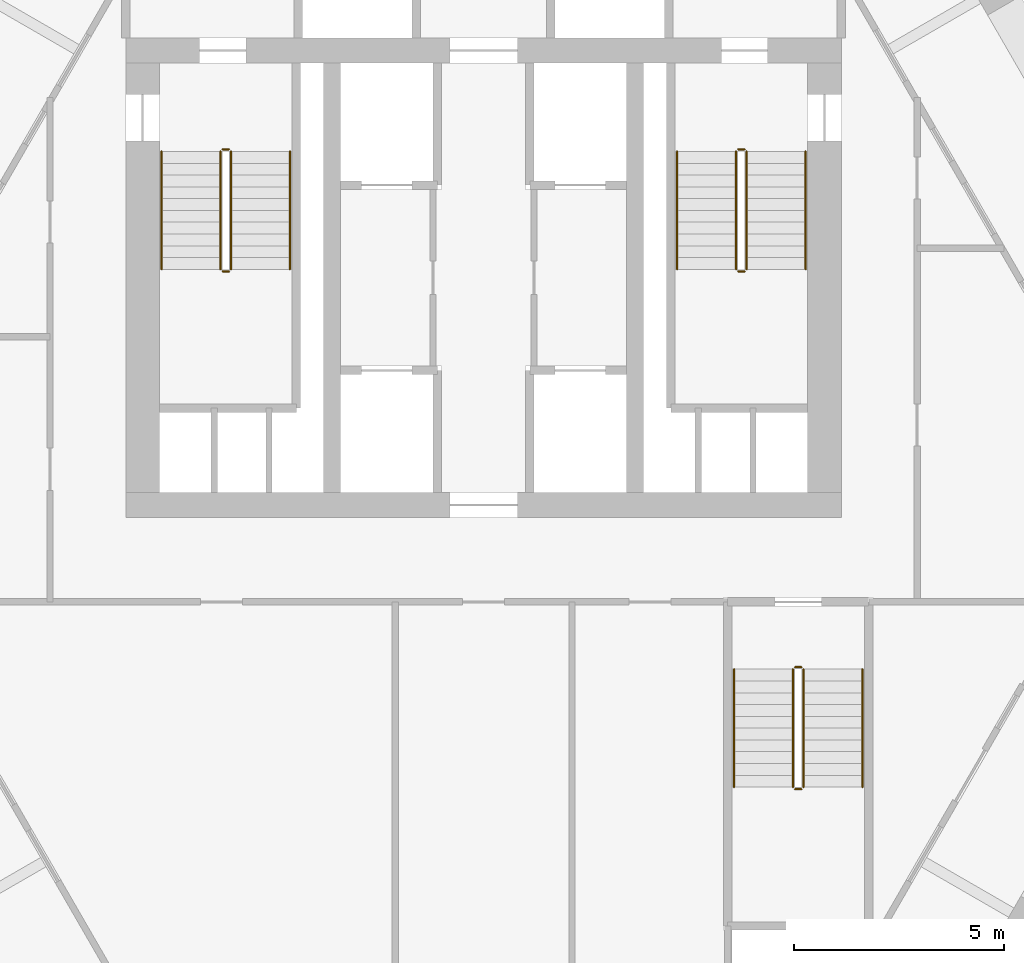
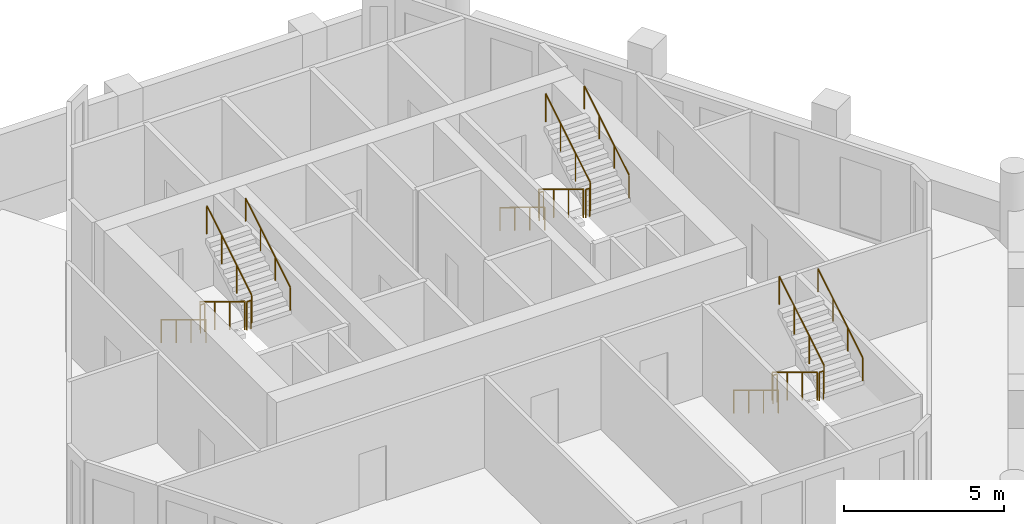
# One storey, part 6 of 6: 18 railings.
"""IFC4 building model written with IfcOpenShell, lengths in metres."""

from ifc_helpers import new_model, si_unit, direction, frame, origin, origin_2d, place, context, subcontext, project, spatial, circle, extrude, material, type_object, element, save


model = new_model("IFC4")

# Units and contexts
model_context = context("Model", 3, precision=1e-05, world=origin(), true_north=direction((0.0, 1.0)))
body_context = subcontext(model_context, "Body", "Model", "MODEL_VIEW")
ifc_project = project(units=[si_unit("LENGTHUNIT", "METRE"), si_unit("AREAUNIT", "SQUARE_METRE"), si_unit("VOLUMEUNIT", "CUBIC_METRE"), si_unit("PLANEANGLEUNIT", "RADIAN"), si_unit("MASSUNIT", "GRAM", prefix="KILO")], contexts=[model_context])

# Site, building, storey
site_placement = place(None, origin())
site = spatial("IfcSite", under=ifc_project, at=site_placement, CompositionType="ELEMENT")
building_placement = place(site_placement, origin())
building = spatial("IfcBuilding", under=site, at=building_placement, Name="Ostrander Bayou Hotel Tower", CompositionType="ELEMENT")
storey_placement = place(building_placement, frame((0.0, 0.0, 263.75)))
storey = spatial("IfcBuildingStorey", under=building, at=storey_placement, Name="L65", CompositionType="ELEMENT", Elevation=263.75)

# Railings
ifc_material_1 = material(Name="Steel ASTM A500 Gr C", Category="steel")
railing_type_1 = type_object("IfcRailingType", Name="GR1 stair guard 1100 mm steel", PredefinedType="GUARDRAIL", material=ifc_material_1)
railing_1_placement = place(storey_placement, frame((-6.25, 7.0, 0.17041015625)))
element("IfcRailing", 1, at=railing_1_placement, inside=storey, type_object=railing_type_1, Name="L65 STA stair guard 1", PredefinedType="GUARDRAIL", context=body_context, shape_type="SweptSolid", body=[
    extrude(circle(Radius=0.02392578125, at=origin_2d()), frame((0.0, 0.0, 1.076171875), z_axis=(0.0, -0.854169791009, 0.51999420009), x_axis=(1.0, 0.0, 0.0)), (0.0, 0.0, 1.0), 3.278076171875),
    extrude(circle(Radius=0.02099609375, at=origin_2d()), origin(), (0.0, 0.0, 1.0), 1.052001953125),
    extrude(circle(Radius=0.02099609375, at=origin_2d()), frame((0.0, -0.933349609375, 0.568115234375)), (0.0, 0.0, 1.0), 1.052001953125),
    extrude(circle(Radius=0.02099609375, at=origin_2d()), frame((0.0, -1.86669921875, 1.136474609375)), (0.0, 0.0, 1.0), 1.052001953125),
    extrude(circle(Radius=0.02099609375, at=origin_2d()), frame((0.0, -2.800048828125, 1.70458984375)), (0.0, 0.0, 1.0), 1.052001953125),
])
railing_2_placement = place(storey_placement, frame((-6.199951171875, 4.14990234375, 1.875)))
element("IfcRailing", 2, at=railing_2_placement, inside=storey, type_object=railing_type_1, Name="L65 STA stair guard 2", PredefinedType="GUARDRAIL", context=body_context, shape_type="SweptSolid", body=[
    extrude(circle(Radius=0.02392578125, at=origin_2d()), frame((0.0, 0.0, 1.076171875), z_axis=(1.0, 0.0, 0.0), x_axis=(0.0, 1.0, 0.0)), (0.0, 0.0, 1.0), 0.14990234375),
    extrude(circle(Radius=0.02099609375, at=origin_2d()), origin(), (0.0, 0.0, 1.0), 1.052001953125),
    extrude(circle(Radius=0.02099609375, at=origin_2d()), frame((0.14990234375, 0.0, 0.0)), (0.0, 0.0, 1.0), 1.052001953125),
])
railing_3_placement = place(storey_placement, frame((-6.0, 4.199951171875, 2.04541015625)))
element("IfcRailing", 3, at=railing_3_placement, inside=storey, type_object=railing_type_1, Name="L65 STA stair guard 3", PredefinedType="GUARDRAIL", context=body_context, shape_type="SweptSolid", body=[
    extrude(circle(Radius=0.02392578125, at=origin_2d()), frame((0.0, 0.0, 1.076171875), z_axis=(0.0, 0.854169791009, 0.51999420009), x_axis=(-1.0, 0.0, 0.0)), (0.0, 0.0, 1.0), 3.278076171875),
    extrude(circle(Radius=0.02099609375, at=origin_2d()), origin(), (0.0, 0.0, 1.0), 1.052001953125),
    extrude(circle(Radius=0.02099609375, at=origin_2d()), frame((0.0, 0.933349609375, 0.568115234375)), (0.0, 0.0, 1.0), 1.052001953125),
    extrude(circle(Radius=0.02099609375, at=origin_2d()), frame((0.0, 1.86669921875, 1.136474609375)), (0.0, 0.0, 1.0), 1.052001953125),
    extrude(circle(Radius=0.02099609375, at=origin_2d()), frame((0.0, 2.800048828125, 1.70458984375)), (0.0, 0.0, 1.0), 1.052001953125),
])
railing_4_placement = place(storey_placement, frame((-6.199951171875, 7.050048828125, 0.0)))
element("IfcRailing", 4, at=railing_4_placement, inside=storey, type_object=railing_type_1, Name="L65 STA stair guard 4", PredefinedType="GUARDRAIL", context=body_context, shape_type="SweptSolid", body=[
    extrude(circle(Radius=0.02392578125, at=origin_2d()), frame((0.0, 0.0, 1.076171875), z_axis=(1.0, 0.0, 0.0), x_axis=(0.0, 1.0, 0.0)), (0.0, 0.0, 1.0), 0.14990234375),
    extrude(circle(Radius=0.02099609375, at=origin_2d()), origin(), (0.0, 0.0, 1.0), 1.052001953125),
    extrude(circle(Radius=0.02099609375, at=origin_2d()), frame((0.14990234375, 0.0, 0.0)), (0.0, 0.0, 1.0), 1.052001953125),
])
railing_5_placement = place(storey_placement, frame((6.0, 7.0, 0.17041015625)))
element("IfcRailing", 5, at=railing_5_placement, inside=storey, type_object=railing_type_1, Name="L65 STB stair guard 1", PredefinedType="GUARDRAIL", context=body_context, shape_type="SweptSolid", body=[
    extrude(circle(Radius=0.02392578125, at=origin_2d()), frame((0.0, 0.0, 1.076171875), z_axis=(0.0, -0.854169791009, 0.51999420009), x_axis=(1.0, 0.0, 0.0)), (0.0, 0.0, 1.0), 3.278076171875),
    extrude(circle(Radius=0.02099609375, at=origin_2d()), origin(), (0.0, 0.0, 1.0), 1.052001953125),
    extrude(circle(Radius=0.02099609375, at=origin_2d()), frame((0.0, -0.933349609375, 0.568115234375)), (0.0, 0.0, 1.0), 1.052001953125),
    extrude(circle(Radius=0.02099609375, at=origin_2d()), frame((0.0, -1.86669921875, 1.136474609375)), (0.0, 0.0, 1.0), 1.052001953125),
    extrude(circle(Radius=0.02099609375, at=origin_2d()), frame((0.0, -2.800048828125, 1.70458984375)), (0.0, 0.0, 1.0), 1.052001953125),
])
railing_6_placement = place(storey_placement, frame((6.050048828125, 4.14990234375, 1.875)))
element("IfcRailing", 6, at=railing_6_placement, inside=storey, type_object=railing_type_1, Name="L65 STB stair guard 2", PredefinedType="GUARDRAIL", context=body_context, shape_type="SweptSolid", body=[
    extrude(circle(Radius=0.02392578125, at=origin_2d()), frame((0.0, 0.0, 1.076171875), z_axis=(1.0, 0.0, 0.0), x_axis=(0.0, 1.0, 0.0)), (0.0, 0.0, 1.0), 0.14990234375),
    extrude(circle(Radius=0.02099609375, at=origin_2d()), origin(), (0.0, 0.0, 1.0), 1.052001953125),
    extrude(circle(Radius=0.02099609375, at=origin_2d()), frame((0.14990234375, 0.0, 0.0)), (0.0, 0.0, 1.0), 1.052001953125),
])
railing_7_placement = place(storey_placement, frame((6.25, 4.199951171875, 2.04541015625)))
element("IfcRailing", 7, at=railing_7_placement, inside=storey, type_object=railing_type_1, Name="L65 STB stair guard 3", PredefinedType="GUARDRAIL", context=body_context, shape_type="SweptSolid", body=[
    extrude(circle(Radius=0.02392578125, at=origin_2d()), frame((0.0, 0.0, 1.076171875), z_axis=(0.0, 0.854169791009, 0.51999420009), x_axis=(-1.0, 0.0, 0.0)), (0.0, 0.0, 1.0), 3.278076171875),
    extrude(circle(Radius=0.02099609375, at=origin_2d()), origin(), (0.0, 0.0, 1.0), 1.052001953125),
    extrude(circle(Radius=0.02099609375, at=origin_2d()), frame((0.0, 0.933349609375, 0.568115234375)), (0.0, 0.0, 1.0), 1.052001953125),
    extrude(circle(Radius=0.02099609375, at=origin_2d()), frame((0.0, 1.86669921875, 1.136474609375)), (0.0, 0.0, 1.0), 1.052001953125),
    extrude(circle(Radius=0.02099609375, at=origin_2d()), frame((0.0, 2.800048828125, 1.70458984375)), (0.0, 0.0, 1.0), 1.052001953125),
])
railing_8_placement = place(storey_placement, frame((6.050048828125, 7.050048828125, 0.0)))
element("IfcRailing", 8, at=railing_8_placement, inside=storey, type_object=railing_type_1, Name="L65 STB stair guard 4", PredefinedType="GUARDRAIL", context=body_context, shape_type="SweptSolid", body=[
    extrude(circle(Radius=0.02392578125, at=origin_2d()), frame((0.0, 0.0, 1.076171875), z_axis=(1.0, 0.0, 0.0), x_axis=(0.0, 1.0, 0.0)), (0.0, 0.0, 1.0), 0.14990234375),
    extrude(circle(Radius=0.02099609375, at=origin_2d()), origin(), (0.0, 0.0, 1.0), 1.052001953125),
    extrude(circle(Radius=0.02099609375, at=origin_2d()), frame((0.14990234375, 0.0, 0.0)), (0.0, 0.0, 1.0), 1.052001953125),
])
railing_9_placement = place(storey_placement, frame((7.35009765625, -5.300048828125, 0.17041015625)))
element("IfcRailing", 9, at=railing_9_placement, inside=storey, type_object=railing_type_1, Name="L65 STC stair guard 1", PredefinedType="GUARDRAIL", context=body_context, shape_type="SweptSolid", body=[
    extrude(circle(Radius=0.02392578125, at=origin_2d()), frame((0.0, 0.0, 1.076171875), z_axis=(0.0, -0.854169791009, 0.51999420009), x_axis=(1.0, 0.0, 0.0)), (0.0, 0.0, 1.0), 3.278076171875),
    extrude(circle(Radius=0.02099609375, at=origin_2d()), origin(), (0.0, 0.0, 1.0), 1.052001953125),
    extrude(circle(Radius=0.02099609375, at=origin_2d()), frame((0.0, -0.933349609375, 0.568115234375)), (0.0, 0.0, 1.0), 1.052001953125),
    extrude(circle(Radius=0.02099609375, at=origin_2d()), frame((0.0, -1.86669921875, 1.136474609375)), (0.0, 0.0, 1.0), 1.052001953125),
    extrude(circle(Radius=0.02099609375, at=origin_2d()), frame((0.0, -2.800048828125, 1.70458984375)), (0.0, 0.0, 1.0), 1.052001953125),
])
railing_10_placement = place(storey_placement, frame((7.39990234375, -8.14990234375, 1.875)))
element("IfcRailing", 10, at=railing_10_placement, inside=storey, type_object=railing_type_1, Name="L65 STC stair guard 2", PredefinedType="GUARDRAIL", context=body_context, shape_type="SweptSolid", body=[
    extrude(circle(Radius=0.02392578125, at=origin_2d()), frame((0.0, 0.0, 1.076171875), z_axis=(1.0, 0.0, 0.0), x_axis=(0.0, 1.0, 0.0)), (0.0, 0.0, 1.0), 0.150146484375),
    extrude(circle(Radius=0.02099609375, at=origin_2d()), origin(), (0.0, 0.0, 1.0), 1.052001953125),
    extrude(circle(Radius=0.02099609375, at=origin_2d()), frame((0.150146484375, 0.0, 0.0)), (0.0, 0.0, 1.0), 1.052001953125),
])
railing_11_placement = place(storey_placement, frame((7.60009765625, -8.10009765625, 2.04541015625)))
element("IfcRailing", 11, at=railing_11_placement, inside=storey, type_object=railing_type_1, Name="L65 STC stair guard 3", PredefinedType="GUARDRAIL", context=body_context, shape_type="SweptSolid", body=[
    extrude(circle(Radius=0.02392578125, at=origin_2d()), frame((0.0, 0.0, 1.076171875), z_axis=(0.0, 0.854169791009, 0.51999420009), x_axis=(-1.0, 0.0, 0.0)), (0.0, 0.0, 1.0), 3.278076171875),
    extrude(circle(Radius=0.02099609375, at=origin_2d()), origin(), (0.0, 0.0, 1.0), 1.052001953125),
    extrude(circle(Radius=0.02099609375, at=origin_2d()), frame((0.0, 0.933349609375, 0.568115234375)), (0.0, 0.0, 1.0), 1.052001953125),
    extrude(circle(Radius=0.02099609375, at=origin_2d()), frame((0.0, 1.86669921875, 1.136474609375)), (0.0, 0.0, 1.0), 1.052001953125),
    extrude(circle(Radius=0.02099609375, at=origin_2d()), frame((0.0, 2.800048828125, 1.70458984375)), (0.0, 0.0, 1.0), 1.052001953125),
])
railing_12_placement = place(storey_placement, frame((7.39990234375, -5.25, 0.0)))
element("IfcRailing", 12, at=railing_12_placement, inside=storey, type_object=railing_type_1, Name="L65 STC stair guard 4", PredefinedType="GUARDRAIL", context=body_context, shape_type="SweptSolid", body=[
    extrude(circle(Radius=0.02392578125, at=origin_2d()), frame((0.0, 0.0, 1.076171875), z_axis=(1.0, 0.0, 0.0), x_axis=(0.0, 1.0, 0.0)), (0.0, 0.0, 1.0), 0.150146484375),
    extrude(circle(Radius=0.02099609375, at=origin_2d()), origin(), (0.0, 0.0, 1.0), 1.052001953125),
    extrude(circle(Radius=0.02099609375, at=origin_2d()), frame((0.150146484375, 0.0, 0.0)), (0.0, 0.0, 1.0), 1.052001953125),
])
ifc_material_2 = material(Name="Steel ASTM A500 Gr C", Category="steel")
railing_type_2 = type_object("IfcRailingType", Name="HR1 stair handrail 900 mm steel", PredefinedType="HANDRAIL", material=ifc_material_2)
railing_13_placement = place(storey_placement, frame((-7.64990234375, 7.0, 0.17041015625)))
element("IfcRailing", 13, at=railing_13_placement, inside=storey, type_object=railing_type_2, Name="L65 STA stair handrail 1", PredefinedType="HANDRAIL", context=body_context, shape_type="SweptSolid", body=[
    extrude(circle(Radius=0.02392578125, at=origin_2d()), frame((0.0, 0.0, 0.8759765625), z_axis=(0.0, -0.854169791009, 0.51999420009), x_axis=(1.0, 0.0, 0.0)), (0.0, 0.0, 1.0), 3.278076171875),
    extrude(circle(Radius=0.02099609375, at=origin_2d()), origin(), (0.0, 0.0, 1.0), 0.851806640625),
    extrude(circle(Radius=0.02099609375, at=origin_2d()), frame((0.0, -0.933349609375, 0.568115234375)), (0.0, 0.0, 1.0), 0.851806640625),
    extrude(circle(Radius=0.02099609375, at=origin_2d()), frame((0.0, -1.86669921875, 1.136474609375)), (0.0, 0.0, 1.0), 0.851806640625),
    extrude(circle(Radius=0.02099609375, at=origin_2d()), frame((0.0, -2.800048828125, 1.70458984375)), (0.0, 0.0, 1.0), 0.851806640625),
])
railing_14_placement = place(storey_placement, frame((-4.60009765625, 4.199951171875, 2.04541015625)))
element("IfcRailing", 14, at=railing_14_placement, inside=storey, type_object=railing_type_2, Name="L65 STA stair handrail 2", PredefinedType="HANDRAIL", context=body_context, shape_type="SweptSolid", body=[
    extrude(circle(Radius=0.02392578125, at=origin_2d()), frame((0.0, 0.0, 0.8759765625), z_axis=(0.0, 0.854169791009, 0.51999420009), x_axis=(-1.0, 0.0, 0.0)), (0.0, 0.0, 1.0), 3.278076171875),
    extrude(circle(Radius=0.02099609375, at=origin_2d()), origin(), (0.0, 0.0, 1.0), 0.851806640625),
    extrude(circle(Radius=0.02099609375, at=origin_2d()), frame((0.0, 0.933349609375, 0.568115234375)), (0.0, 0.0, 1.0), 0.851806640625),
    extrude(circle(Radius=0.02099609375, at=origin_2d()), frame((0.0, 1.86669921875, 1.136474609375)), (0.0, 0.0, 1.0), 0.851806640625),
    extrude(circle(Radius=0.02099609375, at=origin_2d()), frame((0.0, 2.800048828125, 1.70458984375)), (0.0, 0.0, 1.0), 0.851806640625),
])
railing_15_placement = place(storey_placement, frame((4.60009765625, 7.0, 0.17041015625)))
element("IfcRailing", 15, at=railing_15_placement, inside=storey, type_object=railing_type_2, Name="L65 STB stair handrail 1", PredefinedType="HANDRAIL", context=body_context, shape_type="SweptSolid", body=[
    extrude(circle(Radius=0.02392578125, at=origin_2d()), frame((0.0, 0.0, 0.8759765625), z_axis=(0.0, -0.854169791009, 0.51999420009), x_axis=(1.0, 0.0, 0.0)), (0.0, 0.0, 1.0), 3.278076171875),
    extrude(circle(Radius=0.02099609375, at=origin_2d()), origin(), (0.0, 0.0, 1.0), 0.851806640625),
    extrude(circle(Radius=0.02099609375, at=origin_2d()), frame((0.0, -0.933349609375, 0.568115234375)), (0.0, 0.0, 1.0), 0.851806640625),
    extrude(circle(Radius=0.02099609375, at=origin_2d()), frame((0.0, -1.86669921875, 1.136474609375)), (0.0, 0.0, 1.0), 0.851806640625),
    extrude(circle(Radius=0.02099609375, at=origin_2d()), frame((0.0, -2.800048828125, 1.70458984375)), (0.0, 0.0, 1.0), 0.851806640625),
])
railing_16_placement = place(storey_placement, frame((7.64990234375, 4.199951171875, 2.04541015625)))
element("IfcRailing", 16, at=railing_16_placement, inside=storey, type_object=railing_type_2, Name="L65 STB stair handrail 2", PredefinedType="HANDRAIL", context=body_context, shape_type="SweptSolid", body=[
    extrude(circle(Radius=0.02392578125, at=origin_2d()), frame((0.0, 0.0, 0.8759765625), z_axis=(0.0, 0.854169791009, 0.51999420009), x_axis=(-1.0, 0.0, 0.0)), (0.0, 0.0, 1.0), 3.278076171875),
    extrude(circle(Radius=0.02099609375, at=origin_2d()), origin(), (0.0, 0.0, 1.0), 0.851806640625),
    extrude(circle(Radius=0.02099609375, at=origin_2d()), frame((0.0, 0.933349609375, 0.568115234375)), (0.0, 0.0, 1.0), 0.851806640625),
    extrude(circle(Radius=0.02099609375, at=origin_2d()), frame((0.0, 1.86669921875, 1.136474609375)), (0.0, 0.0, 1.0), 0.851806640625),
    extrude(circle(Radius=0.02099609375, at=origin_2d()), frame((0.0, 2.800048828125, 1.70458984375)), (0.0, 0.0, 1.0), 0.851806640625),
])
railing_17_placement = place(storey_placement, frame((5.949951171875, -5.300048828125, 0.17041015625)))
element("IfcRailing", 17, at=railing_17_placement, inside=storey, type_object=railing_type_2, Name="L65 STC stair handrail 1", PredefinedType="HANDRAIL", context=body_context, shape_type="SweptSolid", body=[
    extrude(circle(Radius=0.02392578125, at=origin_2d()), frame((0.0, 0.0, 0.8759765625), z_axis=(0.0, -0.854169791009, 0.51999420009), x_axis=(1.0, 0.0, 0.0)), (0.0, 0.0, 1.0), 3.278076171875),
    extrude(circle(Radius=0.02099609375, at=origin_2d()), origin(), (0.0, 0.0, 1.0), 0.851806640625),
    extrude(circle(Radius=0.02099609375, at=origin_2d()), frame((0.0, -0.933349609375, 0.568115234375)), (0.0, 0.0, 1.0), 0.851806640625),
    extrude(circle(Radius=0.02099609375, at=origin_2d()), frame((0.0, -1.86669921875, 1.136474609375)), (0.0, 0.0, 1.0), 0.851806640625),
    extrude(circle(Radius=0.02099609375, at=origin_2d()), frame((0.0, -2.800048828125, 1.70458984375)), (0.0, 0.0, 1.0), 0.851806640625),
])
railing_18_placement = place(storey_placement, frame((9.0, -8.10009765625, 2.04541015625)))
element("IfcRailing", 18, at=railing_18_placement, inside=storey, type_object=railing_type_2, Name="L65 STC stair handrail 2", PredefinedType="HANDRAIL", context=body_context, shape_type="SweptSolid", body=[
    extrude(circle(Radius=0.02392578125, at=origin_2d()), frame((0.0, 0.0, 0.8759765625), z_axis=(0.0, 0.854169791009, 0.51999420009), x_axis=(-1.0, 0.0, 0.0)), (0.0, 0.0, 1.0), 3.278076171875),
    extrude(circle(Radius=0.02099609375, at=origin_2d()), origin(), (0.0, 0.0, 1.0), 0.851806640625),
    extrude(circle(Radius=0.02099609375, at=origin_2d()), frame((0.0, 0.933349609375, 0.568115234375)), (0.0, 0.0, 1.0), 0.851806640625),
    extrude(circle(Radius=0.02099609375, at=origin_2d()), frame((0.0, 1.86669921875, 1.136474609375)), (0.0, 0.0, 1.0), 0.851806640625),
    extrude(circle(Radius=0.02099609375, at=origin_2d()), frame((0.0, 2.800048828125, 1.70458984375)), (0.0, 0.0, 1.0), 0.851806640625),
])

save(model, "model.ifc")
